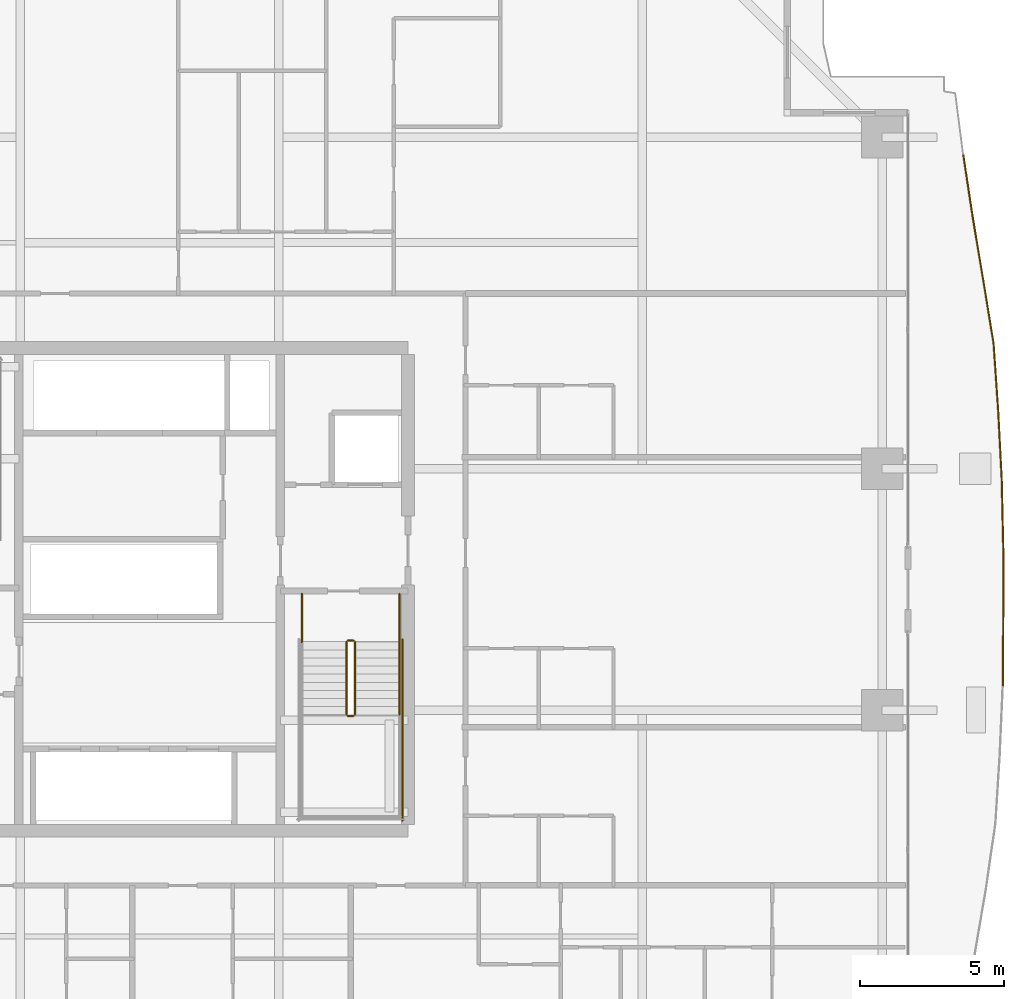
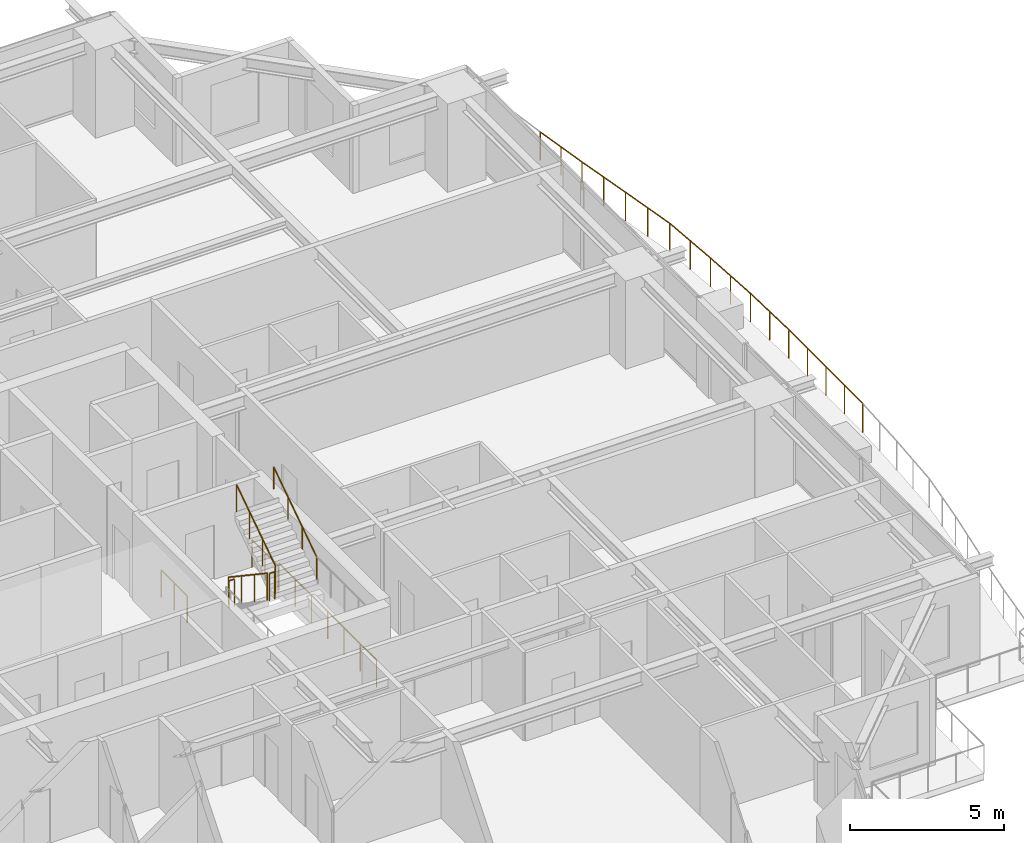
# One storey, part 37 of 38: 9 railings.
"""IFC4 building model written with IfcOpenShell, lengths in metres."""

import ifcopenshell
import ifcopenshell.guid

model = None  # the IFC model being written
_history = None  # IfcOwnerHistory: only IFC2X3 demands one
_inside = {}  # id of a spatial element -> (the spatial element, [elements in it])
_under = {}  # id of a project, library or spatial element -> (it, [spatial elements below it])
_declared = {}  # id of a project -> (the project, [libraries it declares])
_typed = {}  # id of a type object -> (the type object, [elements of that type])
_made_of = {}  # id of a material, layer set ... -> (it, [elements and type objects made of it])


def new_model(schema):
    """Start an empty IFC model of exactly this schema.

    Asked for "IFC4X3", IfcOpenShell would pick the latest addendum, in which some entities
    have other attributes; the version numbers below select the first issue.
    IFC2X3 requires an IfcOwnerHistory on every rooted entity: one is made here for all.
    """
    global model, _history
    if schema == "IFC4X3":
        model = ifcopenshell.file(schema_version=(4, 3, 0, 0))
    else:
        model = ifcopenshell.file(schema=schema)
    _inside.clear()
    _under.clear()
    _declared.clear()
    _typed.clear()
    _made_of.clear()
    _history = None
    if model.schema == "IFC2X3":
        org = make("IfcOrganization", Name="unknown")
        user = make(
            "IfcPersonAndOrganization",
            ThePerson=make("IfcPerson", FamilyName="unknown"),
            TheOrganization=org,
        )
        app = make(
            "IfcApplication",
            ApplicationDeveloper=org,
            Version="unknown",
            ApplicationFullName="unknown",
            ApplicationIdentifier="unknown",
        )
        _history = make(
            "IfcOwnerHistory",
            OwningUser=user,
            OwningApplication=app,
            ChangeAction="ADDED",
            CreationDate=0,
        )
    return model


def make(cls, **values):
    """One entity of the class cls with the attributes given. An attribute that is None is left unset."""
    return model.create_entity(
        cls, **{name: value for name, value in values.items() if value is not None}
    )


def rooted(cls, **values):
    """An entity with a GlobalId (a new one), such as an element, a storey or a relation."""
    return make(cls, GlobalId=ifcopenshell.guid.new(), OwnerHistory=_history, **values)


def si_unit(unit_type, name, prefix=None):
    """IfcSIUnit, for example si_unit("LENGTHUNIT", "METRE", prefix="MILLI")."""
    return make("IfcSIUnit", UnitType=unit_type, Prefix=prefix, Name=name)


def assignment(units):
    """IfcUnitAssignment: the units of a project."""
    return None if units is None else make("IfcUnitAssignment", Units=units)


def point(xyz):
    """IfcCartesianPoint."""
    return None if xyz is None else make("IfcCartesianPoint", Coordinates=xyz)


def direction(xyz):
    """IfcDirection."""
    return None if xyz is None else make("IfcDirection", DirectionRatios=xyz)


def frame(location, z_axis=None, x_axis=None):
    """IfcAxis2Placement3D, a coordinate frame: its origin and axes. An axis left out is left unset."""
    return make(
        "IfcAxis2Placement3D",
        Location=point(location),
        Axis=direction(z_axis),
        RefDirection=direction(x_axis),
    )


def frame_2d(location, x_axis=None):
    """IfcAxis2Placement2D, a coordinate frame in the plane: its origin and x axis."""
    return make(
        "IfcAxis2Placement2D", Location=point(location), RefDirection=direction(x_axis)
    )


def origin():
    """The frame at (0, 0, 0) with its axes left unset."""
    return frame((0.0, 0.0, 0.0))


def origin_2d():
    """The frame at (0, 0) in the plane with its x axis left unset."""
    return frame_2d((0.0, 0.0))


def place(relative_to, where):
    """IfcLocalPlacement: puts the frame where relative to a parent placement (None: the world)."""
    return make(
        "IfcLocalPlacement", PlacementRelTo=relative_to, RelativePlacement=where
    )


def context(
    kind, dimensions, precision=None, world=None, true_north=None, identifier=None
):
    """IfcGeometricRepresentationContext, for example the 3D "Model" context."""
    return make(
        "IfcGeometricRepresentationContext",
        ContextIdentifier=identifier,
        ContextType=kind,
        CoordinateSpaceDimension=dimensions,
        Precision=precision,
        WorldCoordinateSystem=world,
        TrueNorth=true_north,
    )


def subcontext(parent, identifier, kind, view, scale=None):
    """IfcGeometricRepresentationSubContext, for example "Body" below "Model"."""
    return make(
        "IfcGeometricRepresentationSubContext",
        ContextIdentifier=identifier,
        ContextType=kind,
        ParentContext=parent,
        TargetScale=scale,
        TargetView=view,
    )


def project(units=None, contexts=None):
    """IfcProject with its units and contexts."""
    return rooted(
        "IfcProject",
        Name="project",
        RepresentationContexts=contexts,
        UnitsInContext=assignment(units),
    )


def spatial(cls, under=None, at=None, **own):
    """A site, building, storey or space (cls), placed at a placement, below another one or the project."""
    s = rooted(cls, ObjectPlacement=at, **own)
    if under is not None:
        _under.setdefault(under.id(), (under, []))[1].append(s)
    return s


def profile(cls, at=None, kind="AREA", **sizes):
    """A parametric profile (cls). Its sizes go by their IFC names, for example OverallWidth=200.0."""
    return make(cls, ProfileType=kind, Position=at, **sizes)


def circle(**sizes):
    """IfcCircleProfileDef."""
    return profile("IfcCircleProfileDef", **sizes)


def extrude(swept, where, along, depth):
    """IfcExtrudedAreaSolid: the profile swept, set in the frame where, extruded along a direction by depth."""
    return make(
        "IfcExtrudedAreaSolid",
        SweptArea=swept,
        Position=where,
        ExtrudedDirection=direction(along),
        Depth=depth,
    )


def shape(context_of_items, identifier, shape_type, items):
    """IfcShapeRepresentation: the items that make up one representation, for example the "Body"."""
    return make(
        "IfcShapeRepresentation",
        ContextOfItems=context_of_items,
        RepresentationIdentifier=identifier,
        RepresentationType=shape_type,
        Items=items,
    )


def material(Name=None, Category=None):
    """IfcMaterial."""
    return make("IfcMaterial", Name=Name, Category=Category)


def made_of(thing, what):
    """Note that an element or type object is made of a material, layer set ...; save() writes the relation."""
    if what is not None:
        _made_of.setdefault(what.id(), (what, []))[1].append(thing)
    return thing


def type_object(cls, material=None, **own):
    """A type object (cls), such as IfcWallType, which elements share."""
    return made_of(rooted(cls, **own), material)


def element(
    cls,
    number,
    at=None,
    inside=None,
    cuts=None,
    type_object=None,
    material=None,
    context=None,
    identifier="Body",
    shape_type=None,
    held_by="IfcProductDefinitionShape",
    body=None,
    shapes=None,
    **own,
):
    """One element of the class cls, such as IfcWall. Its Tag is "e" and its number.

    at: its placement. inside: the storey or other place that contains it. cuts: it is an
    opening in that element (IfcRelVoidsElement). A single representation is given by context,
    identifier, shape_type and body (its items); several are given by shapes. held_by: the class
    of the entity that holds the representations. save() writes the other relations.
    """
    e = rooted(cls, Tag="e%d" % number, ObjectPlacement=at, **own)
    if body is not None:
        shapes = [shape(context, identifier, shape_type, body)]
    if shapes is not None:
        e.Representation = make(held_by, Representations=shapes)
    if inside is not None:
        _inside.setdefault(inside.id(), (inside, []))[1].append(e)
    if cuts is not None:
        rooted(
            "IfcRelVoidsElement", RelatingBuildingElement=cuts, RelatedOpeningElement=e
        )
    if type_object is not None:
        _typed.setdefault(type_object.id(), (type_object, []))[1].append(e)
    return made_of(e, material)


def aggregate(whole, parts):
    """IfcRelAggregates: a whole, such as a stair, and the parts it consists of."""
    return rooted("IfcRelAggregates", RelatingObject=whole, RelatedObjects=parts)


def save(model, path):
    """Write the relations noted so far, then the file.

    IfcRelAggregates (storeys below a building ...), IfcRelContainedInSpatialStructure (elements
    in a storey), IfcRelDefinesByType, IfcRelAssociatesMaterial and IfcRelDeclares: one each for
    every whole, place, type object, material and project.
    """
    for whole, parts in _under.values():
        aggregate(whole, parts)
    for where, things in _inside.values():
        rooted(
            "IfcRelContainedInSpatialStructure",
            RelatedElements=things,
            RelatingStructure=where,
        )
    for kind, things in _typed.values():
        rooted("IfcRelDefinesByType", RelatedObjects=things, RelatingType=kind)
    for what, things in _made_of.values():
        rooted("IfcRelAssociatesMaterial", RelatedObjects=things, RelatingMaterial=what)
    for by, libraries in _declared.values():
        rooted("IfcRelDeclares", RelatingContext=by, RelatedDefinitions=libraries)
    model.write(path)


model = new_model("IFC4")

# Units and contexts
model_context = context("Model", 3, precision=1e-05, world=origin(), true_north=direction((0.0, 1.0)))
body_context = subcontext(model_context, "Body", "Model", "MODEL_VIEW")
ifc_project = project(units=[si_unit("LENGTHUNIT", "METRE"), si_unit("AREAUNIT", "SQUARE_METRE"), si_unit("VOLUMEUNIT", "CUBIC_METRE"), si_unit("PLANEANGLEUNIT", "RADIAN"), si_unit("MASSUNIT", "GRAM", prefix="KILO")], contexts=[model_context])

# Site, building, storey
site_placement = place(None, origin())
site = spatial("IfcSite", under=ifc_project, at=site_placement, CompositionType="ELEMENT")
building_placement = place(site_placement, origin())
building = spatial("IfcBuilding", under=site, at=building_placement, Name="Serunith Strait Residences", CompositionType="ELEMENT")
storey_placement = place(building_placement, frame((0.0, 0.0, 67.949951171875)))
storey = spatial("IfcBuildingStorey", under=building, at=storey_placement, Name="L16", CompositionType="ELEMENT", Elevation=67.949951171875)

# Railings
ifc_material_1 = material(Name="Stainless Steel & Laminated Glass Balustrade", Category="steel")
railing_type_1 = type_object("IfcRailingType", Name="RLG-BALC-1150", PredefinedType="BALUSTRADE", material=ifc_material_1)
railing_1_placement = place(storey_placement, frame((60.72509765625, 40.35498046875, -0.050048828125)))
element("IfcRailing", 1, at=railing_1_placement, inside=storey, type_object=railing_type_1, Name="L16 Swirling Balcony Perimeter Balustrade 5", PredefinedType="BALUSTRADE", context=body_context, shape_type="SweptSolid", body=[
    extrude(circle(Radius=0.02392578125, at=origin_2d()), frame((0.000244140625, -0.001953125, 1.1259765625), z_axis=(0.149306536537, -0.98879095776, 0.0), x_axis=(0.98879095776, 0.149306536537, 0.0)), (0.0, 0.0, 1.0), 2.170654296875),
    extrude(circle(Radius=0.02392578125, at=origin_2d()), frame((0.324951171875, -2.15234375, 1.1259765625), z_axis=(0.164987956344, -0.986295581589, 0.0), x_axis=(0.986295581589, 0.164987956344, 0.0)), (0.0, 0.0, 1.0), 2.214111328125),
    extrude(circle(Radius=0.02392578125, at=origin_2d()), frame((0.69091796875, -4.340087890625, 1.1259765625), z_axis=(0.160850518141, -0.986978779313, 0.0), x_axis=(0.986978779313, 0.160850518141, 0.0)), (0.0, 0.0, 1.0), 2.272705078125),
    extrude(circle(Radius=0.02392578125, at=origin_2d()), frame((1.05712890625, -6.587158203125, 1.1259765625), z_axis=(0.068624209074, -0.997642580251, 0.0), x_axis=(0.997642580251, 0.068624209074, 0.0)), (0.0, 0.0, 1.0), 2.35107421875),
    extrude(circle(Radius=0.02392578125, at=origin_2d()), frame((1.218505859375, -8.936767578125, 1.1259765625), z_axis=(0.051510688983, -0.998672443257, 0.0), x_axis=(0.998672443257, 0.051510688983, 0.0)), (0.0, 0.0, 1.0), 2.380126953125),
    extrude(circle(Radius=0.02392578125, at=origin_2d()), frame((1.34130859375, -11.317626953125, 1.1259765625), z_axis=(0.022345328521, -0.999750311975, 0.0), x_axis=(0.999750311975, 0.022345328521, 0.0)), (0.0, 0.0, 1.0), 2.399658203125),
    extrude(circle(Radius=0.02392578125, at=origin_2d()), frame((1.39501953125, -13.720703125, 1.1259765625), z_axis=(0.0, -1.0, 0.0), x_axis=(1.0, 0.0, 0.0)), (0.0, 0.0, 1.0), 2.408935546875),
    extrude(circle(Radius=0.02392578125, at=origin_2d()), frame((1.39501953125, -16.133544921875, 1.1259765625), z_axis=(-0.006893591266, -0.999976238917, 0.0), x_axis=(0.999976238917, -0.006893591266, 0.0)), (0.0, 0.0, 1.0), 2.404296875),
    extrude(circle(Radius=0.02099609375, at=origin_2d()), origin(), (0.0, 0.0, 1.0), 1.099853515625),
    extrude(circle(Radius=0.02099609375, at=origin_2d()), frame((0.162353515625, -1.0751953125, 0.0)), (0.0, 0.0, 1.0), 1.099853515625),
    extrude(circle(Radius=0.02099609375, at=origin_2d()), frame((0.32470703125, -2.150390625, 0.0)), (0.0, 0.0, 1.0), 1.099853515625),
    extrude(circle(Radius=0.02099609375, at=origin_2d()), frame((0.5078125, -3.244140625, 0.0)), (0.0, 0.0, 1.0), 1.099853515625),
    extrude(circle(Radius=0.02099609375, at=origin_2d()), frame((0.690673828125, -4.338134765625, 0.0)), (0.0, 0.0, 1.0), 1.099853515625),
    extrude(circle(Radius=0.02099609375, at=origin_2d()), frame((0.873779296875, -5.461669921875, 0.0)), (0.0, 0.0, 1.0), 1.099853515625),
    extrude(circle(Radius=0.02099609375, at=origin_2d()), frame((1.056884765625, -6.585205078125, 0.0)), (0.0, 0.0, 1.0), 1.099853515625),
    extrude(circle(Radius=0.02099609375, at=origin_2d()), frame((1.1376953125, -7.760009765625, 0.0)), (0.0, 0.0, 1.0), 1.099853515625),
    extrude(circle(Radius=0.02099609375, at=origin_2d()), frame((1.218505859375, -8.934814453125, 0.0)), (0.0, 0.0, 1.0), 1.099853515625),
    extrude(circle(Radius=0.02099609375, at=origin_2d()), frame((1.27978515625, -10.125244140625, 0.0)), (0.0, 0.0, 1.0), 1.099853515625),
    extrude(circle(Radius=0.02099609375, at=origin_2d()), frame((1.34130859375, -11.315673828125, 0.0)), (0.0, 0.0, 1.0), 1.099853515625),
    extrude(circle(Radius=0.02099609375, at=origin_2d()), frame((1.3681640625, -12.51708984375, 0.0)), (0.0, 0.0, 1.0), 1.099853515625),
    extrude(circle(Radius=0.02099609375, at=origin_2d()), frame((1.39501953125, -13.71875, 0.0)), (0.0, 0.0, 1.0), 1.099853515625),
    extrude(circle(Radius=0.02099609375, at=origin_2d()), frame((1.39501953125, -14.92529296875, 0.0)), (0.0, 0.0, 1.0), 1.099853515625),
    extrude(circle(Radius=0.02099609375, at=origin_2d()), frame((1.39501953125, -16.131591796875, 0.0)), (0.0, 0.0, 1.0), 1.099853515625),
    extrude(circle(Radius=0.02099609375, at=origin_2d()), frame((1.38671875, -17.335693359375, 0.0)), (0.0, 0.0, 1.0), 1.099853515625),
    extrude(circle(Radius=0.02099609375, at=origin_2d()), frame((1.37841796875, -18.539794921875, 0.0)), (0.0, 0.0, 1.0), 1.099853515625),
])
ifc_material_2 = material(Name="Brushed stainless steel 316L", Category="steel")
railing_type_2 = type_object("IfcRailingType", Name="RLG-STAIR-GUARD", PredefinedType="BALUSTRADE", material=ifc_material_2)
railing_2_placement = place(storey_placement, frame((39.25, 23.3701171875, 0.1875)))
element("IfcRailing", 2, at=railing_2_placement, inside=storey, type_object=railing_type_2, Name="L16 ST-2 stair guard 1", PredefinedType="BALUSTRADE", context=body_context, shape_type="SweptSolid", body=[
    extrude(circle(Radius=0.02392578125, at=origin_2d()), frame((0.0, -0.001708984375, 1.0771484375), z_axis=(0.0, -0.830909170722, 0.55640807867), x_axis=(1.0, 0.0, 0.0)), (0.0, 0.0, 1.0), 3.02880859375),
    extrude(circle(Radius=0.02099609375, at=origin_2d()), origin(), (0.0, 0.0, 1.0), 1.050048828125),
    extrude(circle(Radius=0.02099609375, at=origin_2d()), frame((0.0, -0.840087890625, 0.5625)), (0.0, 0.0, 1.0), 1.050048828125),
    extrude(circle(Radius=0.02099609375, at=origin_2d()), frame((0.0, -1.679931640625, 1.125)), (0.0, 0.0, 1.0), 1.050048828125),
    extrude(circle(Radius=0.02099609375, at=origin_2d()), frame((0.0, -2.52001953125, 1.6875)), (0.0, 0.0, 1.0), 1.050048828125),
])
railing_3_placement = place(storey_placement, frame((39.300048828125, 20.800048828125, 1.875)))
element("IfcRailing", 3, at=railing_3_placement, inside=storey, type_object=railing_type_2, Name="L16 ST-2 stair guard 2", PredefinedType="BALUSTRADE", context=body_context, shape_type="SweptSolid", body=[
    extrude(circle(Radius=0.02392578125, at=origin_2d()), frame((0.001953125, 0.0, 1.076171875), z_axis=(1.0, 0.0, 0.0), x_axis=(0.0, 1.0, 0.0)), (0.0, 0.0, 1.0), 0.196044921875),
    extrude(circle(Radius=0.02099609375, at=origin_2d()), origin(), (0.0, 0.0, 1.0), 1.050048828125),
    extrude(circle(Radius=0.02099609375, at=origin_2d()), frame((0.199951171875, 0.0, 0.0)), (0.0, 0.0, 1.0), 1.050048828125),
])
railing_4_placement = place(storey_placement, frame((39.550048828125, 20.85009765625, 2.0625)))
element("IfcRailing", 4, at=railing_4_placement, inside=storey, type_object=railing_type_2, Name="L16 ST-2 stair guard 6", PredefinedType="BALUSTRADE", context=body_context, shape_type="SweptSolid", body=[
    extrude(circle(Radius=0.02392578125, at=origin_2d()), frame((0.0, 0.001708984375, 1.0771484375), z_axis=(0.0, 0.830909170722, 0.55640807867), x_axis=(-1.0, 0.0, 0.0)), (0.0, 0.0, 1.0), 3.02880859375),
    extrude(circle(Radius=0.02099609375, at=origin_2d()), origin(), (0.0, 0.0, 1.0), 1.050048828125),
    extrude(circle(Radius=0.02099609375, at=origin_2d()), frame((0.0, 0.840087890625, 0.5625)), (0.0, 0.0, 1.0), 1.050048828125),
    extrude(circle(Radius=0.02099609375, at=origin_2d()), frame((0.0, 1.679931640625, 1.125)), (0.0, 0.0, 1.0), 1.050048828125),
    extrude(circle(Radius=0.02099609375, at=origin_2d()), frame((0.0, 2.52001953125, 1.6875)), (0.0, 0.0, 1.0), 1.050048828125),
])
railing_5_placement = place(storey_placement, frame((39.300048828125, 23.419921875, 0.0)))
element("IfcRailing", 5, at=railing_5_placement, inside=storey, type_object=railing_type_2, Name="L16 ST-2 stair guard 7", PredefinedType="BALUSTRADE", context=body_context, shape_type="SweptSolid", body=[
    extrude(circle(Radius=0.02392578125, at=origin_2d()), frame((0.001953125, 0.0, 1.076171875), z_axis=(1.0, 0.0, 0.0), x_axis=(0.0, 1.0, 0.0)), (0.0, 0.0, 1.0), 0.196044921875),
    extrude(circle(Radius=0.02099609375, at=origin_2d()), origin(), (0.0, 0.0, 1.0), 1.050048828125),
    extrude(circle(Radius=0.02099609375, at=origin_2d()), frame((0.199951171875, 0.0, 0.0)), (0.0, 0.0, 1.0), 1.050048828125),
])
for number, where, name in (
    (6, (37.699951171875, 25.050048828125, 0.0), "L16 ST-2 stair guard 8"),
    (7, (41.10009765625, 25.050048828125, 0.0), "L16 ST-2 stair guard 9"),
):
    element("IfcRailing", number, at=place(storey_placement, frame(where)), inside=storey, type_object=railing_type_2, Name=name, PredefinedType="BALUSTRADE", context=body_context, shape_type="SweptSolid", body=[
        extrude(circle(Radius=0.02392578125, at=origin_2d()), frame((0.0, -0.001953125, 1.076171875), z_axis=(0.0, -1.0, 0.0), x_axis=(1.0, 0.0, 0.0)), (0.0, 0.0, 1.0), 1.676025390625),
        extrude(circle(Radius=0.02099609375, at=origin_2d()), origin(), (0.0, 0.0, 1.0), 1.050048828125),
        extrude(circle(Radius=0.02099609375, at=origin_2d()), frame((0.0, -0.83984375, 0.0)), (0.0, 0.0, 1.0), 1.050048828125),
        extrude(circle(Radius=0.02099609375, at=origin_2d()), frame((0.0, -1.679931640625, 0.0)), (0.0, 0.0, 1.0), 1.050048828125),
    ])
railing_6_placement = place(storey_placement, frame((41.199951171875, 23.469970703125, 0.0)))
element("IfcRailing", 8, at=railing_6_placement, inside=storey, type_object=railing_type_2, Name="L16 ST-2 stair guard 11", PredefinedType="BALUSTRADE", context=body_context, shape_type="SweptSolid", body=[
    extrude(circle(Radius=0.02392578125, at=origin_2d()), frame((0.0, -0.001953125, 1.076171875), z_axis=(0.0, -1.0, 0.0), x_axis=(1.0, 0.0, 0.0)), (0.0, 0.0, 1.0), 6.316162109375),
    extrude(circle(Radius=0.02099609375, at=origin_2d()), origin(), (0.0, 0.0, 1.0), 1.050048828125),
    extrude(circle(Radius=0.02099609375, at=origin_2d()), frame((0.0, -1.05322265625, 0.0)), (0.0, 0.0, 1.0), 1.050048828125),
    extrude(circle(Radius=0.02099609375, at=origin_2d()), frame((0.0, -2.106689453125, 0.0)), (0.0, 0.0, 1.0), 1.050048828125),
    extrude(circle(Radius=0.02099609375, at=origin_2d()), frame((0.0, -3.16015625, 0.0)), (0.0, 0.0, 1.0), 1.050048828125),
    extrude(circle(Radius=0.02099609375, at=origin_2d()), frame((0.0, -4.21337890625, 0.0)), (0.0, 0.0, 1.0), 1.050048828125),
    extrude(circle(Radius=0.02099609375, at=origin_2d()), frame((0.0, -5.2666015625, 0.0)), (0.0, 0.0, 1.0), 1.050048828125),
    extrude(circle(Radius=0.02099609375, at=origin_2d()), frame((0.0, -6.320068359375, 0.0)), (0.0, 0.0, 1.0), 1.050048828125),
])
railing_type_3 = type_object("IfcRailingType", Name="RLG-STAIR-HR", PredefinedType="HANDRAIL", material=ifc_material_2)
railing_7_placement = place(storey_placement, frame((41.10009765625, 20.85009765625, 2.0625)))
element("IfcRailing", 9, at=railing_7_placement, inside=storey, type_object=railing_type_3, Name="L16 ST-2 stair handrail 2", PredefinedType="HANDRAIL", context=body_context, shape_type="SweptSolid", body=[
    extrude(circle(Radius=0.02392578125, at=origin_2d()), frame((0.0, 0.001708984375, 0.876953125), z_axis=(0.0, 0.830185712471, 0.557486935101), x_axis=(-1.0, 0.0, 0.0)), (0.0, 0.0, 1.0), 3.368408203125),
    extrude(circle(Radius=0.02099609375, at=origin_2d()), origin(), (0.0, 0.0, 1.0), 0.849853515625),
    extrude(circle(Radius=0.02099609375, at=origin_2d()), frame((0.0, 0.933349609375, 0.626708984375)), (0.0, 0.0, 1.0), 0.849853515625),
    extrude(circle(Radius=0.02099609375, at=origin_2d()), frame((0.0, 1.866455078125, 1.25341796875)), (0.0, 0.0, 1.0), 0.849853515625),
    extrude(circle(Radius=0.02099609375, at=origin_2d()), frame((0.0, 2.7998046875, 1.880126953125)), (0.0, 0.0, 1.0), 0.849853515625),
])

save(model, "model.ifc")
